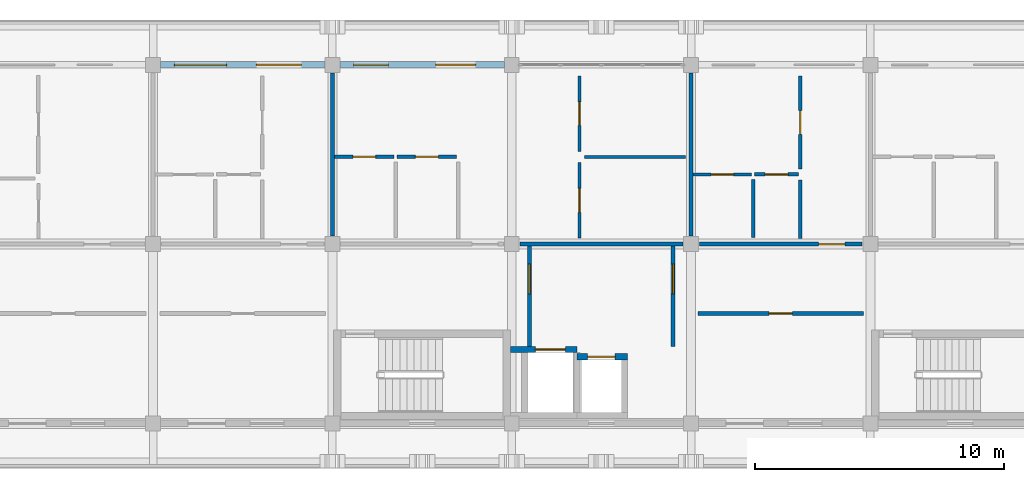
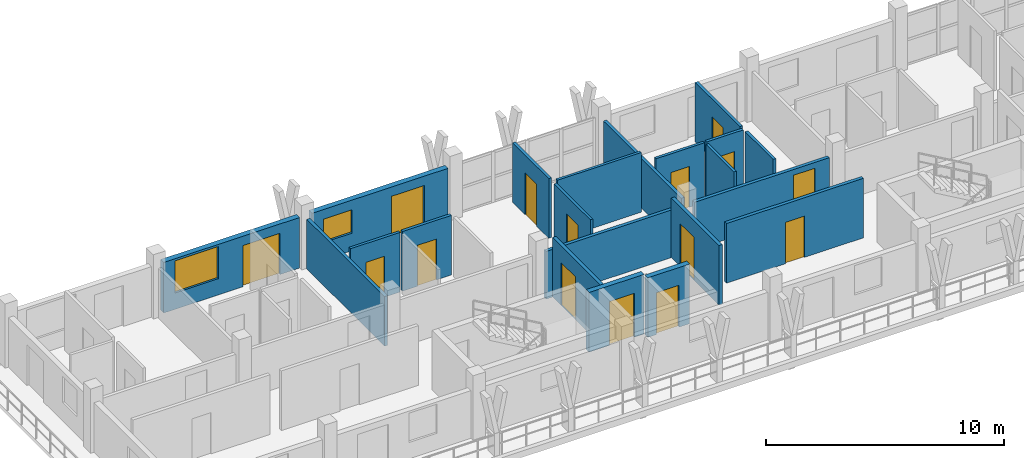
# One storey, part 55 of 75: 21 walls, 15 doors, 2 windows, 17 openings.
"""IFC4 building model written with IfcOpenShell, lengths in metres."""

from ifc_helpers import new_model, si_unit, direction, frame, frame_2d, origin, place, context, subcontext, project, spatial, rectangle, extrude, material, layer, layer_set, type_object, element, fill, save


model = new_model("IFC4")

# Units and contexts
model_context = context("Model", 3, precision=1e-05, world=origin(), true_north=direction((0.0, 1.0)))
body_context = subcontext(model_context, "Body", "Model", "MODEL_VIEW")
ifc_project = project(units=[si_unit("LENGTHUNIT", "METRE"), si_unit("AREAUNIT", "SQUARE_METRE"), si_unit("VOLUMEUNIT", "CUBIC_METRE"), si_unit("PLANEANGLEUNIT", "RADIAN"), si_unit("MASSUNIT", "GRAM", prefix="KILO")], contexts=[model_context])

# Site, building, storey
site_placement = place(None, origin())
site = spatial("IfcSite", under=ifc_project, at=site_placement, CompositionType="ELEMENT")
building_placement = place(site_placement, origin())
building = spatial("IfcBuilding", under=site, at=building_placement, Name="Suanplinth Sawtooth Commons", CompositionType="ELEMENT")
storey_placement = place(building_placement, frame((0.0, 0.0, 18.60009765625)))
storey = spatial("IfcBuildingStorey", under=building, at=storey_placement, Name="L05", CompositionType="ELEMENT", Elevation=18.60009765625)

# Wall, openings, door, window
ifc_material_1 = material(Name="Precast concrete C40/50", Category="concrete")
ifc_layer_1 = layer(ifc_material_1, 0.260009765625, Name="Insulated precast courtyard facade wall 260mm")
ifc_layer_set_1 = layer_set([ifc_layer_1], Name="Precast concrete C40/50")
wall_type_1 = type_object("IfcWallType", Name="W-EX02", PredefinedType="ELEMENTEDWALL", material=ifc_layer_set_1)
wall_1_placement = place(storey_placement, frame((129.89990234375, 122.39990234375, 0.0), z_axis=(0.0, 0.0, 1.0), x_axis=(1.0, 0.0, 0.0)))
wall_1 = element("IfcWall", 1, at=wall_1_placement, inside=storey, type_object=wall_type_1, Name="Facade Wall W-L05-B-N-18-16", PredefinedType="ELEMENTEDWALL", context=body_context, shape_type="SweptSolid", body=[
    extrude(rectangle(XDim=6.60009765625, YDim=0.260009765625, at=frame_2d((3.300048828125, 0.0))), origin(), (0.0, 0.0, 1.0), 2.594970703125),
])
opening_1_placement = place(wall_1_placement, frame((3.85009765625, 0.0, 0.0)))
opening_1 = element("IfcOpeningElement", 2, at=opening_1_placement, cuts=wall_1, Name="Opening ED0425", PredefinedType="OPENING", context=body_context, shape_type="SweptSolid", body=[
    extrude(rectangle(XDim=1.800048828125, YDim=2.1201171875, at=frame_2d((0.89990234375, 1.06005859375))), frame((0.0, 0.14501953125, 0.0), z_axis=(0.0, -1.0, 0.0), x_axis=(1.0, 0.0, 0.0)), (0.0, 0.0, 1.0), 0.289794921875),
])
opening_2_placement = place(wall_1_placement, frame((0.550048828125, 0.0, 0.8349609375)))
opening_2 = element("IfcOpeningElement", 3, at=opening_2_placement, cuts=wall_1, Name="Opening W0514", PredefinedType="OPENING", context=body_context, shape_type="SweptSolid", body=[
    extrude(rectangle(XDim=2.10009765625, YDim=1.64990234375, at=frame_2d((1.050048828125, 0.824951171875))), frame((0.0, 0.14501953125, 0.0), z_axis=(0.0, -1.0, 0.0), x_axis=(1.0, 0.0, 0.0)), (0.0, 0.0, 1.0), 0.289794921875),
])
ifc_material_2 = material(Name="Anodized aluminium and low-E glass", Category="aluminium")
door_type_1 = type_object("IfcDoorType", Name="SD-01", OperationType="SLIDING_TO_LEFT", PredefinedType="DOOR", material=ifc_material_2)
door_1_placement = place(opening_1_placement, frame((1.800048828125, 0.0, 0.0), z_axis=(0.0, 0.0, 1.0), x_axis=(-1.0, 0.0, 0.0)))
door_1 = element("IfcDoor", 4, at=door_1_placement, inside=storey, type_object=door_type_1, Name="Balcony Sliding Door L05-B-18", OperationType="SLIDING_TO_LEFT", OverallHeight=2.1201171875, OverallWidth=1.800048828125, PredefinedType="DOOR", context=body_context, shape_type="SweptSolid", body=[
    extrude(rectangle(XDim=1.800048828125, YDim=2.1201171875, at=frame_2d((0.89990234375, 1.06005859375))), frame((0.0, 0.02490234375, 0.0), z_axis=(0.0, -1.0, 0.0), x_axis=(1.0, 0.0, 0.0)), (0.0, 0.0, 1.0), 0.050048828125),
])
fill(opening_1, door_1)
ifc_material_3 = material(Name="Thermally broken aluminium and low-E double glazing", Category="aluminium")
window_type_1 = type_object("IfcWindowType", Name="WN-06", PartitioningType="DOUBLE_PANEL_VERTICAL", PredefinedType="WINDOW", material=ifc_material_3)
window_1_placement = place(opening_2_placement, origin())
window_1 = element("IfcWindow", 5, at=window_1_placement, inside=storey, type_object=window_type_1, Name="Apartment Window L05-B-18", OverallHeight=1.64990234375, OverallWidth=2.10009765625, PartitioningType="DOUBLE_PANEL_VERTICAL", PredefinedType="WINDOW", context=body_context, shape_type="SweptSolid", body=[
    extrude(rectangle(XDim=2.10009765625, YDim=1.64990234375, at=frame_2d((1.050048828125, 0.824951171875))), frame((0.0, 0.030029296875, 0.0), z_axis=(0.0, -1.0, 0.0), x_axis=(1.0, 0.0, 0.0)), (0.0, 0.0, 1.0), 0.06005859375),
])
fill(opening_2, window_1)

wall_2_placement = place(storey_placement, frame((137.10009765625, 122.39990234375, 0.0), z_axis=(0.0, 0.0, 1.0), x_axis=(1.0, 0.0, 0.0)))
wall_2 = element("IfcWall", 6, at=wall_2_placement, inside=storey, type_object=wall_type_1, Name="Facade Wall W-L05-B-N-19-16", PredefinedType="ELEMENTEDWALL", context=body_context, shape_type="SweptSolid", body=[
    extrude(rectangle(XDim=6.599853515625, YDim=0.260009765625, at=frame_2d((3.2998046875, 0.0))), origin(), (0.0, 0.0, 1.0), 2.594970703125),
])
opening_3_placement = place(wall_2_placement, frame((3.85009765625, 0.0, 0.0)))
opening_3 = element("IfcOpeningElement", 7, at=opening_3_placement, cuts=wall_2, Name="Opening ED0426", PredefinedType="OPENING", context=body_context, shape_type="SweptSolid", body=[
    extrude(rectangle(XDim=1.60009765625, YDim=2.1201171875, at=frame_2d((0.800048828125, 1.06005859375))), frame((0.0, 0.14501953125, 0.0), z_axis=(0.0, -1.0, 0.0), x_axis=(1.0, 0.0, 0.0)), (0.0, 0.0, 1.0), 0.289794921875),
])
opening_4_placement = place(wall_2_placement, frame((0.550048828125, 0.0, 0.89990234375)))
opening_4 = element("IfcOpeningElement", 8, at=opening_4_placement, cuts=wall_2, Name="Opening W0516", PredefinedType="OPENING", context=body_context, shape_type="SweptSolid", body=[
    extrude(rectangle(XDim=1.39990234375, YDim=1.199951171875, at=frame_2d((0.699951171875, 0.60009765625))), frame((0.0, 0.14501953125, 0.0), z_axis=(0.0, -1.0, 0.0), x_axis=(1.0, 0.0, 0.0)), (0.0, 0.0, 1.0), 0.289794921875),
])
door_type_2 = type_object("IfcDoorType", Name="SD-02", OperationType="SLIDING_TO_RIGHT", PredefinedType="DOOR", material=ifc_material_2)
door_2_placement = place(opening_3_placement, frame((1.60009765625, 0.0, 0.0), z_axis=(0.0, 0.0, 1.0), x_axis=(-1.0, 0.0, 0.0)))
door_2 = element("IfcDoor", 9, at=door_2_placement, inside=storey, type_object=door_type_2, Name="Balcony Sliding Door L05-B-19", OperationType="SLIDING_TO_RIGHT", OverallHeight=2.1201171875, OverallWidth=1.60009765625, PredefinedType="DOOR", context=body_context, shape_type="SweptSolid", body=[
    extrude(rectangle(XDim=1.60009765625, YDim=2.1201171875, at=frame_2d((0.800048828125, 1.06005859375))), frame((0.0, 0.02490234375, 0.0), z_axis=(0.0, -1.0, 0.0), x_axis=(1.0, 0.0, 0.0)), (0.0, 0.0, 1.0), 0.050048828125),
])
fill(opening_3, door_2)
window_type_2 = type_object("IfcWindowType", Name="WN-10", PartitioningType="DOUBLE_PANEL_HORIZONTAL", PredefinedType="WINDOW", material=ifc_material_3)
window_2_placement = place(opening_4_placement, origin())
window_2 = element("IfcWindow", 10, at=window_2_placement, inside=storey, type_object=window_type_2, Name="Apartment Window L05-B-19", OverallHeight=1.199951171875, OverallWidth=1.39990234375, PartitioningType="DOUBLE_PANEL_HORIZONTAL", PredefinedType="WINDOW", context=body_context, shape_type="SweptSolid", body=[
    extrude(rectangle(XDim=1.39990234375, YDim=1.199951171875, at=frame_2d((0.699951171875, 0.60009765625))), frame((0.0, 0.030029296875, 0.0), z_axis=(0.0, -1.0, 0.0), x_axis=(1.0, 0.0, 0.0)), (0.0, 0.0, 1.0), 0.06005859375),
])
fill(opening_4, window_2)

# Wall, opening, door
ifc_layer_2 = layer(ifc_material_1, 0.159912109375, Name="Fire-rated corridor and lobby wall 160mm")
ifc_layer_set_2 = layer_set([ifc_layer_2], Name="Precast concrete C40/50")
wall_type_2 = type_object("IfcWallType", Name="W-FW01", PredefinedType="PARTITIONING", material=ifc_layer_set_2)
wall_3_placement = place(storey_placement, frame((144.719970703125, 111.10009765625, 0.0), z_axis=(0.0, 0.0, 1.0), x_axis=(0.0, 1.0, 0.0)))
wall_3 = element("IfcWall", 11, at=wall_3_placement, inside=storey, type_object=wall_type_2, Name="W-L05-C-B1-LOB-W", PredefinedType="PARTITIONING", context=body_context, shape_type="SweptSolid", body=[
    extrude(rectangle(XDim=4.02001953125, YDim=0.159912109375, at=frame_2d((2.010009765625, 0.0))), origin(), (0.0, 0.0, 1.0), 3.059814453125),
])
opening_5_placement = place(wall_3_placement, frame((2.10009765625, 0.0, 0.0)))
opening_5 = element("IfcOpeningElement", 12, at=opening_5_placement, cuts=wall_3, Name="Opening FD0185", PredefinedType="OPENING", context=body_context, shape_type="SweptSolid", body=[
    extrude(rectangle(XDim=1.199951171875, YDim=2.199951171875, at=frame_2d((0.60009765625, 1.10009765625))), frame((0.0, 0.0947265625, 0.0), z_axis=(0.0, -1.0, 0.0), x_axis=(1.0, 0.0, 0.0)), (0.0, 0.0, 1.0), 0.189697265625),
])
ifc_material_4 = material(Name="Teak hardwood fire-rated door assembly", Category="wood")
door_type_3 = type_object("IfcDoorType", Name="FD-02", OperationType="NOTDEFINED", PredefinedType="DOOR", material=ifc_material_4)
door_3_placement = place(opening_5_placement, origin())
door_3 = element("IfcDoor", 13, at=door_3_placement, inside=storey, type_object=door_type_3, Name="Lobby Fire Door FD0185", OperationType="SINGLE_SWING_LEFT", OverallHeight=2.199951171875, OverallWidth=1.199951171875, PredefinedType="DOOR", context=body_context, shape_type="SweptSolid", body=[
    extrude(rectangle(XDim=1.199951171875, YDim=2.199951171875, at=frame_2d((0.60009765625, 1.10009765625))), frame((0.0, 0.02490234375, 0.0), z_axis=(0.0, -1.0, 0.0), x_axis=(1.0, 0.0, 0.0)), (0.0, 0.0, 1.0), 0.050048828125),
])
fill(opening_5, door_3)

wall_4_placement = place(storey_placement, frame((150.47998046875, 111.10009765625, 0.0), z_axis=(0.0, 0.0, 1.0), x_axis=(0.0, 1.0, 0.0)))
wall_4 = element("IfcWall", 14, at=wall_4_placement, inside=storey, type_object=wall_type_2, Name="W-L05-C-B1-LOB-E", PredefinedType="PARTITIONING", context=body_context, shape_type="SweptSolid", body=[
    extrude(rectangle(XDim=4.02001953125, YDim=0.159912109375, at=frame_2d((2.010009765625, 0.0))), origin(), (0.0, 0.0, 1.0), 3.059814453125),
])
opening_6_placement = place(wall_4_placement, frame((2.10009765625, 0.0, 0.0)))
opening_6 = element("IfcOpeningElement", 15, at=opening_6_placement, cuts=wall_4, Name="Opening FD0186", PredefinedType="OPENING", context=body_context, shape_type="SweptSolid", body=[
    extrude(rectangle(XDim=1.199951171875, YDim=2.199951171875, at=frame_2d((0.60009765625, 1.10009765625))), frame((0.0, 0.0947265625, 0.0), z_axis=(0.0, -1.0, 0.0), x_axis=(1.0, 0.0, 0.0)), (0.0, 0.0, 1.0), 0.189697265625),
])
door_4_placement = place(opening_6_placement, frame((1.199951171875, 0.0, 0.0), z_axis=(0.0, 0.0, 1.0), x_axis=(-1.0, 0.0, 0.0)))
door_4 = element("IfcDoor", 16, at=door_4_placement, inside=storey, type_object=door_type_3, Name="Lobby Fire Door FD0186", OperationType="SINGLE_SWING_RIGHT", OverallHeight=2.199951171875, OverallWidth=1.199951171875, PredefinedType="DOOR", context=body_context, shape_type="SweptSolid", body=[
    extrude(rectangle(XDim=1.199951171875, YDim=2.199951171875, at=frame_2d((0.60009765625, 1.10009765625))), frame((0.0, 0.02490234375, 0.0), z_axis=(0.0, -1.0, 0.0), x_axis=(1.0, 0.0, 0.0)), (0.0, 0.0, 1.0), 0.050048828125),
])
fill(opening_6, door_4)

# Wall
wall_5_placement = place(storey_placement, frame((144.330078125, 115.199951171875, 0.0), z_axis=(0.0, 0.0, 1.0), x_axis=(1.0, 0.0, 0.0)))
element("IfcWall", 17, at=wall_5_placement, inside=storey, type_object=wall_type_2, Name="W-B-L05-U03-COR-S2", PredefinedType="PARTITIONING", context=body_context, shape_type="SweptSolid", body=[
    extrude(rectangle(XDim=6.5400390625, YDim=0.159912109375, at=frame_2d((3.27001953125, 0.0))), origin(), (0.0, 0.0, 1.0), 2.44482421875),
])

# Wall, opening, door
wall_6_placement = place(storey_placement, frame((151.530029296875, 115.199951171875, 0.0), z_axis=(0.0, 0.0, 1.0), x_axis=(1.0, 0.0, 0.0)))
wall_6 = element("IfcWall", 18, at=wall_6_placement, inside=storey, type_object=wall_type_2, Name="W-B-L05-U04-COR", PredefinedType="PARTITIONING", context=body_context, shape_type="SweptSolid", body=[
    extrude(rectangle(XDim=6.5400390625, YDim=0.159912109375, at=frame_2d((3.27001953125, 0.0))), origin(), (0.0, 0.0, 1.0), 2.44482421875),
])
opening_7_placement = place(wall_6_placement, frame((4.794921875, 0.0, 0.0)))
opening_7 = element("IfcOpeningElement", 19, at=opening_7_placement, cuts=wall_6, Name="Opening FD1260", PredefinedType="OPENING", context=body_context, shape_type="SweptSolid", body=[
    extrude(rectangle(XDim=1.050048828125, YDim=2.14990234375, at=frame_2d((0.52490234375, 1.074951171875))), frame((0.0, 0.0947265625, 0.0), z_axis=(0.0, -1.0, 0.0), x_axis=(1.0, 0.0, 0.0)), (0.0, 0.0, 1.0), 0.189697265625),
])
door_type_4 = type_object("IfcDoorType", Name="FD-04", OperationType="NOTDEFINED", PredefinedType="DOOR", material=ifc_material_4)
door_5_placement = place(opening_7_placement, origin())
door_5 = element("IfcDoor", 20, at=door_5_placement, inside=storey, type_object=door_type_4, Name="Unit Entrance Door FD1260", OperationType="SINGLE_SWING_RIGHT", OverallHeight=2.14990234375, OverallWidth=1.050048828125, PredefinedType="DOOR", context=body_context, shape_type="SweptSolid", body=[
    extrude(rectangle(XDim=1.050048828125, YDim=2.14990234375, at=frame_2d((0.52490234375, 1.074951171875))), frame((0.0, 0.02490234375, 0.0), z_axis=(0.0, -1.0, 0.0), x_axis=(1.0, 0.0, 0.0)), (0.0, 0.0, 1.0), 0.050048828125),
])
fill(opening_7, door_5)

wall_7_placement = place(storey_placement, frame((151.47998046875, 112.419921875, 0.0), z_axis=(0.0, 0.0, 1.0), x_axis=(1.0, 0.0, 0.0)))
wall_7 = element("IfcWall", 21, at=wall_7_placement, inside=storey, type_object=wall_type_2, Name="W-B-L05-COURTROOM-32-COR", PredefinedType="PARTITIONING", context=body_context, shape_type="SweptSolid", body=[
    extrude(rectangle(XDim=6.64013671875, YDim=0.159912109375, at=frame_2d((3.320068359375, 0.0))), origin(), (0.0, 0.0, 1.0), 3.059814453125),
])
opening_8_placement = place(wall_7_placement, frame((2.85009765625, 0.0, 0.0)))
opening_8 = element("IfcOpeningElement", 22, at=opening_8_placement, cuts=wall_7, Name="Opening D1278", PredefinedType="OPENING", context=body_context, shape_type="SweptSolid", body=[
    extrude(rectangle(XDim=0.93994140625, YDim=2.1201171875, at=frame_2d((0.469970703125, 1.06005859375))), frame((0.0, 0.0947265625, 0.0), z_axis=(0.0, -1.0, 0.0), x_axis=(1.0, 0.0, 0.0)), (0.0, 0.0, 1.0), 0.189697265625),
])
ifc_material_5 = material(Name="Teak hardwood", Category="wood")
door_type_5 = type_object("IfcDoorType", Name="D-15", OperationType="NOTDEFINED", PredefinedType="DOOR", material=ifc_material_5)
door_6_placement = place(opening_8_placement, frame((0.93994140625, 0.0, 0.0), z_axis=(0.0, 0.0, 1.0), x_axis=(-1.0, 0.0, 0.0)))
door_6 = element("IfcDoor", 23, at=door_6_placement, inside=storey, type_object=door_type_5, Name="Study Studio Door D1278", OperationType="SINGLE_SWING_RIGHT", OverallHeight=2.1201171875, OverallWidth=0.93994140625, PredefinedType="DOOR", context=body_context, shape_type="SweptSolid", body=[
    extrude(rectangle(XDim=0.93994140625, YDim=2.1201171875, at=frame_2d((0.469970703125, 1.06005859375))), frame((0.0, 0.02490234375, 0.0), z_axis=(0.0, -1.0, 0.0), x_axis=(1.0, 0.0, 0.0)), (0.0, 0.0, 1.0), 0.050048828125),
])
fill(opening_8, door_6)

# Walls
ifc_layer_3 = layer(ifc_material_1, 0.14990234375, Name="Acoustic precast party demising wall 150mm")
ifc_layer_set_3 = layer_set([ifc_layer_3], Name="Precast concrete C40/50")
wall_type_3 = type_object("IfcWallType", Name="W-FW02", PredefinedType="PARTITIONING", material=ifc_layer_set_3)
for number, where, z_axis, x_axis, name in (
    (24, (136.800048828125, 115.530029296875, 0.0), (0.0, 0.0, 1.0), (0.0, 1.0, 0.0), "W-B-L05-U02-PTY"),
    (25, (151.199951171875, 115.530029296875, 0.0), (0.0, 0.0, 1.0), (0.0, 1.0, 0.0), "W-B-L05-U03-PTY"),
):
    element("IfcWall", number, at=place(storey_placement, frame(where, z_axis=z_axis, x_axis=x_axis)), inside=storey, type_object=wall_type_3, Name=name, PredefinedType="PARTITIONING", context=body_context, shape_type="SweptSolid", body=[
        extrude(rectangle(XDim=6.5400390625, YDim=0.14990234375, at=frame_2d((3.27001953125, 0.0))), origin(), (0.0, 0.0, 1.0), 2.544921875),
    ])

# Wall, opening, door
ifc_material_6 = material(Name="Gypsum plasterboard on steel stud", Category="steel")
ifc_layer_4 = layer(ifc_material_6, 0.139892578125, Name="Fire-rated kitchen partition 140mm")
ifc_layer_set_4 = layer_set([ifc_layer_4], Name="Gypsum plasterboard on steel stud")
wall_type_4 = type_object("IfcWallType", Name="W-PT01", PredefinedType="PARTITIONING", material=ifc_layer_set_4)
wall_8_placement = place(storey_placement, frame((139.39990234375, 118.7099609375, 0.0), z_axis=(0.0, 0.0, 1.0), x_axis=(1.0, 0.0, 0.0)))
wall_8 = element("IfcWall", 26, at=wall_8_placement, inside=storey, type_object=wall_type_4, Name="W-B-L05-U03-KIT1", PredefinedType="PARTITIONING", context=body_context, shape_type="SweptSolid", body=[
    extrude(rectangle(XDim=2.380126953125, YDim=0.139892578125, at=frame_2d((1.18994140625, 0.0))), origin(), (0.0, 0.0, 1.0), 3.059814453125),
])
opening_9_placement = place(wall_8_placement, frame((0.72998046875, 0.0, 0.0)))
opening_9 = element("IfcOpeningElement", 27, at=opening_9_placement, cuts=wall_8, Name="Opening D1257", PredefinedType="OPENING", context=body_context, shape_type="SweptSolid", body=[
    extrude(rectangle(XDim=0.919921875, YDim=2.10009765625, at=frame_2d((0.4599609375, 1.050048828125))), frame((0.0, 0.0849609375, 0.0), z_axis=(0.0, -1.0, 0.0), x_axis=(1.0, 0.0, 0.0)), (0.0, 0.0, 1.0), 0.169677734375),
])
door_type_6 = type_object("IfcDoorType", Name="D-02", OperationType="NOTDEFINED", PredefinedType="DOOR", material=ifc_material_5)
door_7_placement = place(opening_9_placement, frame((0.919921875, 0.0, 0.0), z_axis=(0.0, 0.0, 1.0), x_axis=(-1.0, 0.0, 0.0)))
door_7 = element("IfcDoor", 28, at=door_7_placement, inside=storey, type_object=door_type_6, Name="Kitchen Door D1257", OperationType="SINGLE_SWING_LEFT", OverallHeight=2.10009765625, OverallWidth=0.919921875, PredefinedType="DOOR", context=body_context, shape_type="SweptSolid", body=[
    extrude(rectangle(XDim=0.919921875, YDim=2.10009765625, at=frame_2d((0.4599609375, 1.050048828125))), frame((0.0, 0.02490234375, 0.0), z_axis=(0.0, -1.0, 0.0), x_axis=(1.0, 0.0, 0.0)), (0.0, 0.0, 1.0), 0.050048828125),
])
fill(opening_9, door_7)

wall_9_placement = place(storey_placement, frame((153.75, 118.0, 0.0), z_axis=(0.0, 0.0, 1.0), x_axis=(1.0, 0.0, 0.0)))
wall_9 = element("IfcWall", 29, at=wall_9_placement, inside=storey, type_object=wall_type_4, Name="W-B-L05-U04-KIT1", PredefinedType="PARTITIONING", context=body_context, shape_type="SweptSolid", body=[
    extrude(rectangle(XDim=1.77001953125, YDim=0.139892578125, at=frame_2d((0.885009765625, 0.0))), origin(), (0.0, 0.0, 1.0), 3.059814453125),
])
opening_10_placement = place(wall_9_placement, frame((0.425048828125, 0.0, 0.0)))
opening_10 = element("IfcOpeningElement", 30, at=opening_10_placement, cuts=wall_9, Name="Opening D1262", PredefinedType="OPENING", context=body_context, shape_type="SweptSolid", body=[
    extrude(rectangle(XDim=0.919921875, YDim=2.10009765625, at=frame_2d((0.4599609375, 1.050048828125))), frame((0.0, 0.0849609375, 0.0), z_axis=(0.0, -1.0, 0.0), x_axis=(1.0, 0.0, 0.0)), (0.0, 0.0, 1.0), 0.169677734375),
])
door_8_placement = place(opening_10_placement, frame((0.919921875, 0.0, 0.0), z_axis=(0.0, 0.0, 1.0), x_axis=(-1.0, 0.0, 0.0)))
door_8 = element("IfcDoor", 31, at=door_8_placement, inside=storey, type_object=door_type_6, Name="Kitchen Door D1262", OperationType="SINGLE_SWING_RIGHT", OverallHeight=2.10009765625, OverallWidth=0.919921875, PredefinedType="DOOR", context=body_context, shape_type="SweptSolid", body=[
    extrude(rectangle(XDim=0.919921875, YDim=2.10009765625, at=frame_2d((0.4599609375, 1.050048828125))), frame((0.0, 0.02490234375, 0.0), z_axis=(0.0, -1.0, 0.0), x_axis=(1.0, 0.0, 0.0)), (0.0, 0.0, 1.0), 0.050048828125),
])
fill(opening_10, door_8)

# Wall
wall_10_placement = place(storey_placement, frame((155.590087890625, 115.429931640625, 0.0), z_axis=(0.0, 0.0, 1.0), x_axis=(0.0, 1.0, 0.0)))
element("IfcWall", 32, at=wall_10_placement, inside=storey, type_object=wall_type_4, Name="W-B-L05-U04-KIT2", PredefinedType="PARTITIONING", context=body_context, shape_type="SweptSolid", body=[
    extrude(rectangle(XDim=2.35009765625, YDim=0.139892578125, at=frame_2d((1.175048828125, 0.0))), origin(), (0.0, 0.0, 1.0), 3.059814453125),
])

# Wall, opening, door
ifc_layer_5 = layer(ifc_material_6, 0.1298828125, Name="Moisture-resistant bathroom partition 130mm")
ifc_layer_set_5 = layer_set([ifc_layer_5], Name="Gypsum plasterboard on steel stud")
wall_type_5 = type_object("IfcWallType", Name="W-PT02", PredefinedType="PARTITIONING", material=ifc_layer_set_5)
wall_11_placement = place(storey_placement, frame((136.8798828125, 118.705078125, 0.0), z_axis=(0.0, 0.0, 1.0), x_axis=(1.0, 0.0, 0.0)))
wall_11 = element("IfcWall", 33, at=wall_11_placement, inside=storey, type_object=wall_type_5, Name="W-B-L05-U03-BTH1", PredefinedType="PARTITIONING", context=body_context, shape_type="SweptSolid", body=[
    extrude(rectangle(XDim=2.400146484375, YDim=0.1298828125, at=frame_2d((1.2001953125, 0.0))), origin(), (0.0, 0.0, 1.0), 3.059814453125),
])
opening_11_placement = place(wall_11_placement, frame((0.75, 0.0, 0.0)))
opening_11 = element("IfcOpeningElement", 34, at=opening_11_placement, cuts=wall_11, Name="Opening D1256", PredefinedType="OPENING", context=body_context, shape_type="SweptSolid", body=[
    extrude(rectangle(XDim=0.89990234375, YDim=2.10009765625, at=frame_2d((0.449951171875, 1.050048828125))), frame((0.0, 0.079833984375, 0.0), z_axis=(0.0, -1.0, 0.0), x_axis=(1.0, 0.0, 0.0)), (0.0, 0.0, 1.0), 0.15966796875),
])
door_type_7 = type_object("IfcDoorType", Name="D-01", OperationType="NOTDEFINED", PredefinedType="DOOR", material=ifc_material_5)
door_9_placement = place(opening_11_placement, frame((0.89990234375, 0.0, 0.0), z_axis=(0.0, 0.0, 1.0), x_axis=(-1.0, 0.0, 0.0)))
door_9 = element("IfcDoor", 35, at=door_9_placement, inside=storey, type_object=door_type_7, Name="Bathroom Door D1256", OperationType="SINGLE_SWING_RIGHT", OverallHeight=2.10009765625, OverallWidth=0.89990234375, PredefinedType="DOOR", context=body_context, shape_type="SweptSolid", body=[
    extrude(rectangle(XDim=0.89990234375, YDim=2.10009765625, at=frame_2d((0.449951171875, 1.050048828125))), frame((0.0, 0.02490234375, 0.0), z_axis=(0.0, -1.0, 0.0), x_axis=(1.0, 0.0, 0.0)), (0.0, 0.0, 1.0), 0.050048828125),
])
fill(opening_11, door_9)

wall_12_placement = place(storey_placement, frame((151.280029296875, 117.9951171875, 0.0), z_axis=(0.0, 0.0, 1.0), x_axis=(1.0, 0.0, 0.0)))
wall_12 = element("IfcWall", 36, at=wall_12_placement, inside=storey, type_object=wall_type_5, Name="W-B-L05-U04-BTH1", PredefinedType="PARTITIONING", context=body_context, shape_type="SweptSolid", body=[
    extrude(rectangle(XDim=2.349853515625, YDim=0.1298828125, at=frame_2d((1.1748046875, 0.0))), origin(), (0.0, 0.0, 1.0), 3.059814453125),
])
opening_12_placement = place(wall_12_placement, frame((0.72509765625, 0.0, 0.0)))
opening_12 = element("IfcOpeningElement", 37, at=opening_12_placement, cuts=wall_12, Name="Opening D1261", PredefinedType="OPENING", context=body_context, shape_type="SweptSolid", body=[
    extrude(rectangle(XDim=0.89990234375, YDim=2.10009765625, at=frame_2d((0.449951171875, 1.050048828125))), frame((0.0, 0.079833984375, 0.0), z_axis=(0.0, -1.0, 0.0), x_axis=(1.0, 0.0, 0.0)), (0.0, 0.0, 1.0), 0.15966796875),
])
door_10_placement = place(opening_12_placement, frame((0.89990234375, 0.0, 0.0), z_axis=(0.0, 0.0, 1.0), x_axis=(-1.0, 0.0, 0.0)))
door_10 = element("IfcDoor", 38, at=door_10_placement, inside=storey, type_object=door_type_7, Name="Bathroom Door D1261", OperationType="SINGLE_SWING_LEFT", OverallHeight=2.10009765625, OverallWidth=0.89990234375, PredefinedType="DOOR", context=body_context, shape_type="SweptSolid", body=[
    extrude(rectangle(XDim=0.89990234375, YDim=2.10009765625, at=frame_2d((0.449951171875, 1.050048828125))), frame((0.0, 0.02490234375, 0.0), z_axis=(0.0, -1.0, 0.0), x_axis=(1.0, 0.0, 0.0)), (0.0, 0.0, 1.0), 0.050048828125),
])
fill(opening_12, door_10)

# Wall
wall_13_placement = place(storey_placement, frame((153.695068359375, 115.4599609375, 0.0), z_axis=(0.0, 0.0, 1.0), x_axis=(0.0, 1.0, 0.0)))
element("IfcWall", 39, at=wall_13_placement, inside=storey, type_object=wall_type_5, Name="W-B-L05-U04-BTH2", PredefinedType="PARTITIONING", context=body_context, shape_type="SweptSolid", body=[
    extrude(rectangle(XDim=2.330078125, YDim=0.1298828125, at=frame_2d((1.1650390625, 0.0))), origin(), (0.0, 0.0, 1.0), 3.059814453125),
])

# Wall, opening, door
ifc_layer_6 = layer(ifc_material_6, 0.1201171875, Name="Acoustic bedroom partition 120mm")
ifc_layer_set_6 = layer_set([ifc_layer_6], Name="Gypsum plasterboard on steel stud")
wall_type_6 = type_object("IfcWallType", Name="W-PT03", PredefinedType="PARTITIONING", material=ifc_layer_set_6)
wall_14_placement = place(storey_placement, frame((146.719970703125, 115.43994140625, 0.0), z_axis=(0.0, 0.0, 1.0), x_axis=(0.0, 1.0, 0.0)))
wall_14 = element("IfcWall", 40, at=wall_14_placement, inside=storey, type_object=wall_type_6, Name="W-B-L05-U03-BED2", PredefinedType="PARTITIONING", context=body_context, shape_type="SweptSolid", body=[
    extrude(rectangle(XDim=3.0400390625, YDim=0.1201171875, at=frame_2d((1.52001953125, 0.0))), origin(), (0.0, 0.0, 1.0), 3.059814453125),
])
opening_13_placement = place(wall_14_placement, frame((1.0400390625, 0.0, 0.0)))
opening_13 = element("IfcOpeningElement", 41, at=opening_13_placement, cuts=wall_14, Name="Opening D1259", PredefinedType="OPENING", context=body_context, shape_type="SweptSolid", body=[
    extrude(rectangle(XDim=0.9599609375, YDim=2.14990234375, at=frame_2d((0.47998046875, 1.074951171875))), frame((0.0, 0.074951171875, 0.0), z_axis=(0.0, -1.0, 0.0), x_axis=(1.0, 0.0, 0.0)), (0.0, 0.0, 1.0), 0.14990234375),
])
door_type_8 = type_object("IfcDoorType", Name="D-13", OperationType="NOTDEFINED", PredefinedType="DOOR", material=ifc_material_5)
door_11_placement = place(opening_13_placement, frame((0.9599609375, 0.0, 0.0), z_axis=(0.0, 0.0, 1.0), x_axis=(-1.0, 0.0, 0.0)))
door_11 = element("IfcDoor", 42, at=door_11_placement, inside=storey, type_object=door_type_8, Name="Second Bedroom Door D1259", OperationType="SINGLE_SWING_LEFT", OverallHeight=2.14990234375, OverallWidth=0.9599609375, PredefinedType="DOOR", context=body_context, shape_type="SweptSolid", body=[
    extrude(rectangle(XDim=0.9599609375, YDim=2.14990234375, at=frame_2d((0.47998046875, 1.074951171875))), frame((0.0, 0.02490234375, 0.0), z_axis=(0.0, -1.0, 0.0), x_axis=(1.0, 0.0, 0.0)), (0.0, 0.0, 1.0), 0.050048828125),
])
fill(opening_13, door_11)

# Wall
ifc_layer_7 = layer(ifc_material_6, 0.125, Name="Acoustic study partition 125mm")
ifc_layer_set_7 = layer_set([ifc_layer_7], Name="Gypsum plasterboard on steel stud")
wall_type_7 = type_object("IfcWallType", Name="W-PT06", PredefinedType="PARTITIONING", material=ifc_layer_set_7)
wall_15_placement = place(storey_placement, frame((146.919921875, 118.699951171875, 0.0), z_axis=(0.0, 0.0, 1.0), x_axis=(1.0, 0.0, 0.0)))
element("IfcWall", 43, at=wall_15_placement, inside=storey, type_object=wall_type_7, Name="W-B-L05-U03-BEDDIV", PredefinedType="PARTITIONING", context=body_context, shape_type="SweptSolid", body=[
    extrude(rectangle(XDim=4.06005859375, YDim=0.125, at=frame_2d((2.030029296875, 0.0))), origin(), (0.0, 0.0, 1.0), 3.059814453125),
])

# Wall, opening, door
ifc_layer_8 = layer(ifc_material_6, 0.135009765625, Name="Insulated bedroom demising partition 135mm")
ifc_layer_set_8 = layer_set([ifc_layer_8], Name="Gypsum plasterboard on steel stud")
wall_type_8 = type_object("IfcWallType", Name="W-PT07", PredefinedType="PARTITIONING", material=ifc_layer_set_8)
wall_16_placement = place(storey_placement, frame((146.719970703125, 118.919921875, 0.0), z_axis=(0.0, 0.0, 1.0), x_axis=(0.0, 1.0, 0.0)))
wall_16 = element("IfcWall", 44, at=wall_16_placement, inside=storey, type_object=wall_type_8, Name="W-B-L05-U03-BED1", PredefinedType="PARTITIONING", context=body_context, shape_type="SweptSolid", body=[
    extrude(rectangle(XDim=3.0400390625, YDim=0.135009765625, at=frame_2d((1.52001953125, 0.0))), origin(), (0.0, 0.0, 1.0), 3.059814453125),
])
opening_14_placement = place(wall_16_placement, frame((1.044921875, 0.0, 0.0)))
opening_14 = element("IfcOpeningElement", 45, at=opening_14_placement, cuts=wall_16, Name="Opening D1258", PredefinedType="OPENING", context=body_context, shape_type="SweptSolid", body=[
    extrude(rectangle(XDim=0.949951171875, YDim=2.14990234375, at=frame_2d((0.47509765625, 1.074951171875))), frame((0.0, 0.08251953125, 0.0), z_axis=(0.0, -1.0, 0.0), x_axis=(1.0, 0.0, 0.0)), (0.0, 0.0, 1.0), 0.164794921875),
])
door_type_9 = type_object("IfcDoorType", Name="D-03", OperationType="NOTDEFINED", PredefinedType="DOOR", material=ifc_material_5)
door_12_placement = place(opening_14_placement, frame((0.949951171875, 0.0, 0.0), z_axis=(0.0, 0.0, 1.0), x_axis=(-1.0, 0.0, 0.0)))
door_12 = element("IfcDoor", 46, at=door_12_placement, inside=storey, type_object=door_type_9, Name="Bedroom Door D1258", OperationType="SINGLE_SWING_RIGHT", OverallHeight=2.14990234375, OverallWidth=0.949951171875, PredefinedType="DOOR", context=body_context, shape_type="SweptSolid", body=[
    extrude(rectangle(XDim=0.949951171875, YDim=2.14990234375, at=frame_2d((0.47509765625, 1.074951171875))), frame((0.0, 0.02490234375, 0.0), z_axis=(0.0, -1.0, 0.0), x_axis=(1.0, 0.0, 0.0)), (0.0, 0.0, 1.0), 0.050048828125),
])
fill(opening_14, door_12)

wall_17_placement = place(storey_placement, frame((155.580078125, 118.2099609375, 0.0), z_axis=(0.0, 0.0, 1.0), x_axis=(0.0, 1.0, 0.0)))
wall_17 = element("IfcWall", 47, at=wall_17_placement, inside=storey, type_object=wall_type_8, Name="W-B-L05-U04-BED1", PredefinedType="PARTITIONING", context=body_context, shape_type="SweptSolid", body=[
    extrude(rectangle(XDim=3.75, YDim=0.135009765625, at=frame_2d((1.875, 0.0))), origin(), (0.0, 0.0, 1.0), 3.059814453125),
])
opening_15_placement = place(wall_17_placement, frame((1.39990234375, 0.0, 0.0)))
opening_15 = element("IfcOpeningElement", 48, at=opening_15_placement, cuts=wall_17, Name="Opening D1263", PredefinedType="OPENING", context=body_context, shape_type="SweptSolid", body=[
    extrude(rectangle(XDim=0.949951171875, YDim=2.14990234375, at=frame_2d((0.47509765625, 1.074951171875))), frame((0.0, 0.08251953125, 0.0), z_axis=(0.0, -1.0, 0.0), x_axis=(1.0, 0.0, 0.0)), (0.0, 0.0, 1.0), 0.164794921875),
])
door_13_placement = place(opening_15_placement, origin())
door_13 = element("IfcDoor", 49, at=door_13_placement, inside=storey, type_object=door_type_9, Name="Bedroom Door D1263", OperationType="SINGLE_SWING_LEFT", OverallHeight=2.14990234375, OverallWidth=0.949951171875, PredefinedType="DOOR", context=body_context, shape_type="SweptSolid", body=[
    extrude(rectangle(XDim=0.949951171875, YDim=2.14990234375, at=frame_2d((0.47509765625, 1.074951171875))), frame((0.0, 0.02490234375, 0.0), z_axis=(0.0, -1.0, 0.0), x_axis=(1.0, 0.0, 0.0)), (0.0, 0.0, 1.0), 0.050048828125),
])
fill(opening_15, door_13)

ifc_layer_9 = layer(ifc_material_1, 0.25, Name="Precast structural shear wall 250mm")
ifc_layer_set_9 = layer_set([ifc_layer_9], Name="Precast concrete C40/50")
wall_type_9 = type_object("IfcWallType", Name="W-SH01", PredefinedType="SHEAR", material=ifc_layer_set_9)
wall_18_placement = place(storey_placement, frame((143.949951171875, 110.97509765625, 0.0), z_axis=(0.0, 0.0, 1.0), x_axis=(1.0, 0.0, 0.0)))
wall_18 = element("IfcWall", 50, at=wall_18_placement, inside=storey, type_object=wall_type_9, Name="W-L05-FL2-N", PredefinedType="SHEAR", context=body_context, shape_type="SweptSolid", body=[
    extrude(rectangle(XDim=2.675048828125, YDim=0.25, at=frame_2d((1.33740234375, 0.0))), origin(), (0.0, 0.0, 1.0), 3.059814453125),
])
opening_16_placement = place(wall_18_placement, frame((1.0, 0.0, 0.0)))
opening_16 = element("IfcOpeningElement", 51, at=opening_16_placement, cuts=wall_18, Name="Opening LD0187", PredefinedType="OPENING", context=body_context, shape_type="SweptSolid", body=[
    extrude(rectangle(XDim=1.199951171875, YDim=2.25, at=frame_2d((0.60009765625, 1.125))), frame((0.0, 0.139892578125, 0.0), z_axis=(0.0, -1.0, 0.0), x_axis=(1.0, 0.0, 0.0)), (0.0, 0.0, 1.0), 0.27978515625),
])
ifc_material_7 = material(Name="Stainless steel Grade 304", Category="steel")
door_type_10 = type_object("IfcDoorType", Name="LD-02", OperationType="SLIDING_TO_LEFT", PredefinedType="DOOR", material=ifc_material_7)
door_14_placement = place(opening_16_placement, origin())
door_14 = element("IfcDoor", 52, at=door_14_placement, inside=storey, type_object=door_type_10, Name="Lift Landing Sliding Door FL2 L05", OperationType="SLIDING_TO_LEFT", OverallHeight=2.25, OverallWidth=1.199951171875, PredefinedType="DOOR", context=body_context, shape_type="SweptSolid", body=[
    extrude(rectangle(XDim=1.199951171875, YDim=2.25, at=frame_2d((0.60009765625, 1.125))), frame((0.0, 0.02490234375, 0.0), z_axis=(0.0, -1.0, 0.0), x_axis=(1.0, 0.0, 0.0)), (0.0, 0.0, 1.0), 0.050048828125),
])
fill(opening_16, door_14)

wall_19_placement = place(storey_placement, frame((146.625, 110.675048828125, 0.0), z_axis=(0.0, 0.0, 1.0), x_axis=(1.0, 0.0, 0.0)))
wall_19 = element("IfcWall", 53, at=wall_19_placement, inside=storey, type_object=wall_type_9, Name="W-L05-LF3-N", PredefinedType="SHEAR", context=body_context, shape_type="SweptSolid", body=[
    extrude(rectangle(XDim=2.02490234375, YDim=0.25, at=frame_2d((1.012451171875, 0.0))), origin(), (0.0, 0.0, 1.0), 3.059814453125),
])
opening_17_placement = place(wall_19_placement, frame((0.425048828125, 0.0, 0.0)))
opening_17 = element("IfcOpeningElement", 54, at=opening_17_placement, cuts=wall_19, Name="Opening LD0188", PredefinedType="OPENING", context=body_context, shape_type="SweptSolid", body=[
    extrude(rectangle(XDim=1.10009765625, YDim=2.14990234375, at=frame_2d((0.550048828125, 1.074951171875))), frame((0.0, 0.139892578125, 0.0), z_axis=(0.0, -1.0, 0.0), x_axis=(1.0, 0.0, 0.0)), (0.0, 0.0, 1.0), 0.27978515625),
])
door_type_11 = type_object("IfcDoorType", Name="LD-01", OperationType="SLIDING_TO_LEFT", PredefinedType="DOOR", material=ifc_material_7)
door_15_placement = place(opening_17_placement, origin())
door_15 = element("IfcDoor", 55, at=door_15_placement, inside=storey, type_object=door_type_11, Name="Lift Landing Sliding Door LF3 L05", OperationType="SLIDING_TO_LEFT", OverallHeight=2.14990234375, OverallWidth=1.10009765625, PredefinedType="DOOR", context=body_context, shape_type="SweptSolid", body=[
    extrude(rectangle(XDim=1.10009765625, YDim=2.14990234375, at=frame_2d((0.550048828125, 1.074951171875))), frame((0.0, 0.02490234375, 0.0), z_axis=(0.0, -1.0, 0.0), x_axis=(1.0, 0.0, 0.0)), (0.0, 0.0, 1.0), 0.050048828125),
])
fill(opening_17, door_15)

save(model, "model.ifc")
